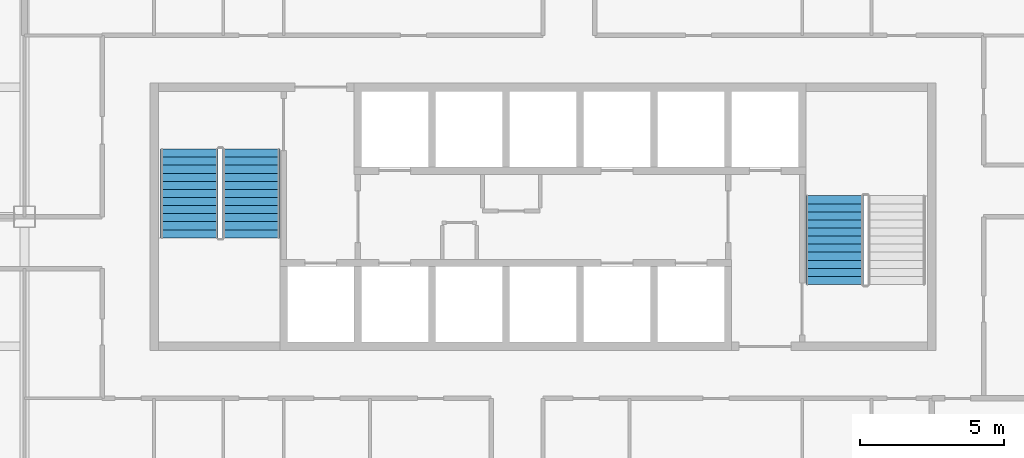
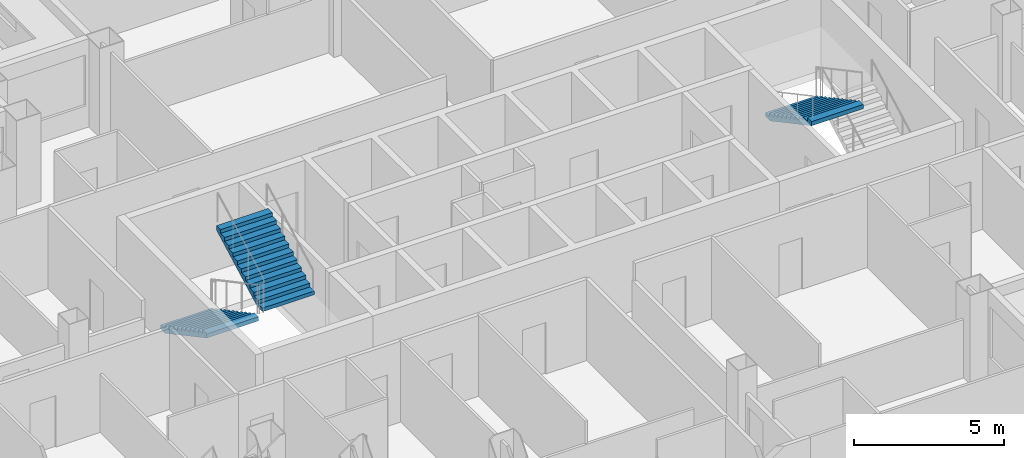
# One storey, part 10 of 14: 3 stair flights, 2 elements without a shape of their own.
"""IFC4 building model written with IfcOpenShell, lengths in metres."""

from ifc_helpers import new_model, si_unit, direction, frame, origin, place, context, subcontext, project, spatial, polygons, material, type_object, element, aggregate, save


model = new_model("IFC4")

# Units and contexts
model_context = context("Model", 3, precision=1e-05, world=origin(), true_north=direction((0.0, 1.0)))
body_context = subcontext(model_context, "Body", "Model", "MODEL_VIEW")
ifc_project = project(units=[si_unit("LENGTHUNIT", "METRE"), si_unit("AREAUNIT", "SQUARE_METRE"), si_unit("VOLUMEUNIT", "CUBIC_METRE"), si_unit("PLANEANGLEUNIT", "RADIAN"), si_unit("MASSUNIT", "GRAM", prefix="KILO")], contexts=[model_context])

# Site, building, storey
site_placement = place(None, origin())
site = spatial("IfcSite", under=ifc_project, at=site_placement, CompositionType="ELEMENT")
building_placement = place(site_placement, origin())
building = spatial("IfcBuilding", under=site, at=building_placement, Name="Caravel Reach Hotel and Residences", CompositionType="ELEMENT")
storey_placement = place(building_placement, frame((0.0, 0.0, 88.800048828125)))
storey = spatial("IfcBuildingStorey", under=building, at=storey_placement, Name="L21", CompositionType="ELEMENT", Elevation=88.800048828125)

# Stair, stair flights
ifc_material_1 = material(Name="Concrete C40", Category="concrete")
stair_type = type_object("IfcStairType", Name="Core stair", PredefinedType="HALF_TURN_STAIR", material=ifc_material_1)
stair_1_placement = place(storey_placement, origin())
stair_1 = element("IfcStair", 1, at=stair_1_placement, inside=storey, type_object=stair_type, Name="L21 Exit stair A", PredefinedType="HALF_TURN_STAIR")
ifc_material_2 = material(Name="Concrete C40", Category="concrete")
stair_flight_type = type_object("IfcStairFlightType", Name="Core stair flight", PredefinedType="STRAIGHT", material=ifc_material_2)
stair_flight_1_placement = place(storey_placement, frame((19.22509765625, 29.35009765625, 0.0), z_axis=(0.0, 0.0, 1.0), x_axis=(0.0, -1.0, 0.0)))
stair_flight_1 = element("IfcStairFlight", 2, at=stair_flight_1_placement, type_object=stair_flight_type, Name="ST-A flight 1", NumberOfRisers=12, NumberOfTreads=11, PredefinedType="STRAIGHT", RiserHeight=0.15, TreadLength=0.28, context=body_context, shape_type="Tessellation", body=[
    polygons([(0.3174408016601862, 1.0, 0.0), (0.3174408016601862, 0.6666666666666667, 0.0), (0.3174408016601862, 0.33333333333333337, 0.0), (0.3174408016601862, 0.0, 0.0), (0.3174408016601862, -0.33333333333333326, 0.0), (0.3174408016601862, -0.6666666666666667, 0.0), (0.3174408016601862, -1.0, 0.0), (3.081, 1.0, 1.479942427682043), (3.081, 0.6666666666666667, 1.479942427682043), (3.081, 0.33333333333333337, 1.479942427682043), (3.081, 0.0, 1.479942427682043), (3.081, -0.33333333333333326, 1.479942427682043), (3.081, -0.6666666666666667, 1.479942427682043), (3.081, -1.0, 1.479942427682043), (3.081, 1.0, 1.65), (3.081, 0.6666666666666667, 1.65), (3.081, 0.33333333333333337, 1.65), (3.081, 0.0, 1.65), (3.081, -0.33333333333333326, 1.65), (3.081, -0.6666666666666667, 1.65), (3.081, -1.0, 1.65), (2.8000000000000003, 1.0, 1.65), (2.8000000000000003, 0.6666666666666667, 1.65), (2.8000000000000003, 0.33333333333333337, 1.65), (2.8000000000000003, 0.0, 1.65), (2.8000000000000003, -0.33333333333333326, 1.65), (2.8000000000000003, -0.6666666666666667, 1.65), (2.8000000000000003, -1.0, 1.65), (2.8000000000000003, 1.0, 1.5), (2.8000000000000003, 0.6666666666666667, 1.5), (2.8000000000000003, 0.33333333333333337, 1.5), (2.8000000000000003, 0.0, 1.5), (2.8000000000000003, -0.33333333333333326, 1.5), (2.8000000000000003, -0.6666666666666667, 1.5), (2.8000000000000003, -1.0, 1.5), (2.5200000000000005, 1.0, 1.5), (2.5200000000000005, 0.6666666666666667, 1.5), (2.5200000000000005, 0.33333333333333337, 1.5), (2.5200000000000005, 0.0, 1.5), (2.5200000000000005, -0.33333333333333326, 1.5), (2.5200000000000005, -0.6666666666666667, 1.5), (2.5200000000000005, -1.0, 1.5), (2.5200000000000005, 1.0, 1.3499999999999999), (2.5200000000000005, 0.6666666666666667, 1.3499999999999999), (2.5200000000000005, 0.33333333333333337, 1.3499999999999999), (2.5200000000000005, 0.0, 1.3499999999999999), (2.5200000000000005, -0.33333333333333326, 1.3499999999999999), (2.5200000000000005, -0.6666666666666667, 1.3499999999999999), (2.5200000000000005, -1.0, 1.3499999999999999), (2.24, 1.0, 1.3499999999999999), (2.24, 0.6666666666666667, 1.3499999999999999), (2.24, 0.33333333333333337, 1.3499999999999999), (2.24, 0.0, 1.3499999999999999), (2.24, -0.33333333333333326, 1.3499999999999999), (2.24, -0.6666666666666667, 1.3499999999999999), (2.24, -1.0, 1.3499999999999999), (2.24, 1.0, 1.2), (2.24, 0.6666666666666667, 1.2), (2.24, 0.33333333333333337, 1.2), (2.24, 0.0, 1.2), (2.24, -0.33333333333333326, 1.2), (2.24, -0.6666666666666667, 1.2), (2.24, -1.0, 1.2), (1.9600000000000002, 1.0, 1.2), (1.9600000000000002, 0.6666666666666667, 1.2), (1.9600000000000002, 0.33333333333333337, 1.2), (1.9600000000000002, 0.0, 1.2), (1.9600000000000002, -0.33333333333333326, 1.2), (1.9600000000000002, -0.6666666666666667, 1.2), (1.9600000000000002, -1.0, 1.2), (1.9600000000000002, 1.0, 1.05), (1.9600000000000002, 0.6666666666666667, 1.05), (1.9600000000000002, 0.33333333333333337, 1.05), (1.9600000000000002, 0.0, 1.05), (1.9600000000000002, -0.33333333333333326, 1.05), (1.9600000000000002, -0.6666666666666667, 1.05), (1.9600000000000002, -1.0, 1.05), (1.6800000000000002, 1.0, 1.05), (1.6800000000000002, 0.6666666666666667, 1.05), (1.6800000000000002, 0.33333333333333337, 1.05), (1.6800000000000002, 0.0, 1.05), (1.6800000000000002, -0.33333333333333326, 1.05), (1.6800000000000002, -0.6666666666666667, 1.05), (1.6800000000000002, -1.0, 1.05), (1.6800000000000002, 1.0, 0.8999999999999999), (1.6800000000000002, 0.6666666666666667, 0.8999999999999999), (1.6800000000000002, 0.33333333333333337, 0.8999999999999999), (1.6800000000000002, 0.0, 0.8999999999999999), (1.6800000000000002, -0.33333333333333326, 0.8999999999999999), (1.6800000000000002, -0.6666666666666667, 0.8999999999999999), (1.6800000000000002, -1.0, 0.8999999999999999), (1.4000000000000001, 1.0, 0.8999999999999999), (1.4000000000000001, 0.6666666666666667, 0.8999999999999999), (1.4000000000000001, 0.33333333333333337, 0.8999999999999999), (1.4000000000000001, 0.0, 0.8999999999999999), (1.4000000000000001, -0.33333333333333326, 0.8999999999999999), (1.4000000000000001, -0.6666666666666667, 0.8999999999999999), (1.4000000000000001, -1.0, 0.8999999999999999), (1.4000000000000001, 1.0, 0.75), (1.4000000000000001, 0.6666666666666667, 0.75), (1.4000000000000001, 0.33333333333333337, 0.75), (1.4000000000000001, 0.0, 0.75), (1.4000000000000001, -0.33333333333333326, 0.75), (1.4000000000000001, -0.6666666666666667, 0.75), (1.4000000000000001, -1.0, 0.75), (1.12, 1.0, 0.75), (1.12, 0.6666666666666667, 0.75), (1.12, 0.33333333333333337, 0.75), (1.12, 0.0, 0.75), (1.12, -0.33333333333333326, 0.75), (1.12, -0.6666666666666667, 0.75), (1.12, -1.0, 0.75), (1.12, 1.0, 0.6), (1.12, 0.6666666666666667, 0.6), (1.12, 0.33333333333333337, 0.6), (1.12, 0.0, 0.6), (1.12, -0.33333333333333326, 0.6), (1.12, -0.6666666666666667, 0.6), (1.12, -1.0, 0.6), (0.8400000000000001, 1.0, 0.6), (0.8400000000000001, 0.6666666666666667, 0.6), (0.8400000000000001, 0.33333333333333337, 0.6), (0.8400000000000001, 0.0, 0.6), (0.8400000000000001, -0.33333333333333326, 0.6), (0.8400000000000001, -0.6666666666666667, 0.6), (0.8400000000000001, -1.0, 0.6), (0.8400000000000001, 1.0, 0.44999999999999996), (0.8400000000000001, 0.6666666666666667, 0.44999999999999996), (0.8400000000000001, 0.33333333333333337, 0.44999999999999996), (0.8400000000000001, 0.0, 0.44999999999999996), (0.8400000000000001, -0.33333333333333326, 0.44999999999999996), (0.8400000000000001, -0.6666666666666667, 0.44999999999999996), (0.8400000000000001, -1.0, 0.44999999999999996), (0.56, 1.0, 0.44999999999999996), (0.56, 0.6666666666666667, 0.44999999999999996), (0.56, 0.33333333333333337, 0.44999999999999996), (0.56, 0.0, 0.44999999999999996), (0.56, -0.33333333333333326, 0.44999999999999996), (0.56, -0.6666666666666667, 0.44999999999999996), (0.56, -1.0, 0.44999999999999996), (0.56, 1.0, 0.3), (0.56, 0.6666666666666667, 0.3), (0.56, 0.33333333333333337, 0.3), (0.56, 0.0, 0.3), (0.56, -0.33333333333333326, 0.3), (0.56, -0.6666666666666667, 0.3), (0.56, -1.0, 0.3), (0.28, 1.0, 0.3), (0.28, 0.6666666666666667, 0.3), (0.28, 0.33333333333333337, 0.3), (0.28, 0.0, 0.3), (0.28, -0.33333333333333326, 0.3), (0.28, -0.6666666666666667, 0.3), (0.28, -1.0, 0.3), (0.28, 1.0, 0.15), (0.28, 0.6666666666666667, 0.15), (0.28, 0.33333333333333337, 0.15), (0.28, 0.0, 0.15), (0.28, -0.33333333333333326, 0.15), (0.28, -0.6666666666666667, 0.15), (0.28, -1.0, 0.15), (-0.001, 1.0, 0.15), (-0.001, 0.6666666666666667, 0.15), (-0.001, 0.33333333333333337, 0.15), (-0.001, 0.0, 0.15), (-0.001, -0.33333333333333326, 0.15), (-0.001, -0.6666666666666667, 0.15), (-0.001, -1.0, 0.15), (-0.001, 1.0, 0.0), (-0.001, 0.6666666666666667, 0.0), (-0.001, 0.33333333333333337, 0.0), (-0.001, 0.0, 0.0), (-0.001, -0.33333333333333326, 0.0), (-0.001, -0.6666666666666667, 0.0), (-0.001, -1.0, 0.0)], [[[169, 162, 155, 148, 141, 134, 127, 120, 113, 106, 99, 92, 85, 78, 71, 64, 57, 50, 43, 36, 29, 22, 15, 8, 1]], [[7, 14, 21, 28, 35, 42, 49, 56, 63, 70, 77, 84, 91, 98, 105, 112, 119, 126, 133, 140, 147, 154, 161, 168, 175]], [[1, 8, 9, 2]], [[2, 9, 10, 3]], [[3, 10, 11, 4]], [[4, 11, 12, 5]], [[5, 12, 13, 6]], [[6, 13, 14, 7]], [[8, 15, 16, 9]], [[9, 16, 17, 10]], [[10, 17, 18, 11]], [[11, 18, 19, 12]], [[12, 19, 20, 13]], [[13, 20, 21, 14]], [[15, 22, 23, 16]], [[16, 23, 24, 17]], [[17, 24, 25, 18]], [[18, 25, 26, 19]], [[19, 26, 27, 20]], [[20, 27, 28, 21]], [[22, 29, 30, 23]], [[23, 30, 31, 24]], [[24, 31, 32, 25]], [[25, 32, 33, 26]], [[26, 33, 34, 27]], [[27, 34, 35, 28]], [[29, 36, 37, 30]], [[30, 37, 38, 31]], [[31, 38, 39, 32]], [[32, 39, 40, 33]], [[33, 40, 41, 34]], [[34, 41, 42, 35]], [[36, 43, 44, 37]], [[37, 44, 45, 38]], [[38, 45, 46, 39]], [[39, 46, 47, 40]], [[40, 47, 48, 41]], [[41, 48, 49, 42]], [[43, 50, 51, 44]], [[44, 51, 52, 45]], [[45, 52, 53, 46]], [[46, 53, 54, 47]], [[47, 54, 55, 48]], [[48, 55, 56, 49]], [[50, 57, 58, 51]], [[51, 58, 59, 52]], [[52, 59, 60, 53]], [[53, 60, 61, 54]], [[54, 61, 62, 55]], [[55, 62, 63, 56]], [[57, 64, 65, 58]], [[58, 65, 66, 59]], [[59, 66, 67, 60]], [[60, 67, 68, 61]], [[61, 68, 69, 62]], [[62, 69, 70, 63]], [[64, 71, 72, 65]], [[65, 72, 73, 66]], [[66, 73, 74, 67]], [[67, 74, 75, 68]], [[68, 75, 76, 69]], [[69, 76, 77, 70]], [[71, 78, 79, 72]], [[72, 79, 80, 73]], [[73, 80, 81, 74]], [[74, 81, 82, 75]], [[75, 82, 83, 76]], [[76, 83, 84, 77]], [[78, 85, 86, 79]], [[79, 86, 87, 80]], [[80, 87, 88, 81]], [[81, 88, 89, 82]], [[82, 89, 90, 83]], [[83, 90, 91, 84]], [[85, 92, 93, 86]], [[86, 93, 94, 87]], [[87, 94, 95, 88]], [[88, 95, 96, 89]], [[89, 96, 97, 90]], [[90, 97, 98, 91]], [[92, 99, 100, 93]], [[93, 100, 101, 94]], [[94, 101, 102, 95]], [[95, 102, 103, 96]], [[96, 103, 104, 97]], [[97, 104, 105, 98]], [[99, 106, 107, 100]], [[100, 107, 108, 101]], [[101, 108, 109, 102]], [[102, 109, 110, 103]], [[103, 110, 111, 104]], [[104, 111, 112, 105]], [[106, 113, 114, 107]], [[107, 114, 115, 108]], [[108, 115, 116, 109]], [[109, 116, 117, 110]], [[110, 117, 118, 111]], [[111, 118, 119, 112]], [[113, 120, 121, 114]], [[114, 121, 122, 115]], [[115, 122, 123, 116]], [[116, 123, 124, 117]], [[117, 124, 125, 118]], [[118, 125, 126, 119]], [[120, 127, 128, 121]], [[121, 128, 129, 122]], [[122, 129, 130, 123]], [[123, 130, 131, 124]], [[124, 131, 132, 125]], [[125, 132, 133, 126]], [[127, 134, 135, 128]], [[128, 135, 136, 129]], [[129, 136, 137, 130]], [[130, 137, 138, 131]], [[131, 138, 139, 132]], [[132, 139, 140, 133]], [[134, 141, 142, 135]], [[135, 142, 143, 136]], [[136, 143, 144, 137]], [[137, 144, 145, 138]], [[138, 145, 146, 139]], [[139, 146, 147, 140]], [[141, 148, 149, 142]], [[142, 149, 150, 143]], [[143, 150, 151, 144]], [[144, 151, 152, 145]], [[145, 152, 153, 146]], [[146, 153, 154, 147]], [[148, 155, 156, 149]], [[149, 156, 157, 150]], [[150, 157, 158, 151]], [[151, 158, 159, 152]], [[152, 159, 160, 153]], [[153, 160, 161, 154]], [[155, 162, 163, 156]], [[156, 163, 164, 157]], [[157, 164, 165, 158]], [[158, 165, 166, 159]], [[159, 166, 167, 160]], [[160, 167, 168, 161]], [[162, 169, 170, 163]], [[163, 170, 171, 164]], [[164, 171, 172, 165]], [[165, 172, 173, 166]], [[166, 173, 174, 167]], [[167, 174, 175, 168]], [[169, 1, 2, 170]], [[170, 2, 3, 171]], [[171, 3, 4, 172]], [[172, 4, 5, 173]], [[173, 5, 6, 174]], [[174, 6, 7, 175]]], closed=True),
])
stair_flight_2_placement = place(storey_placement, frame((21.375, 26.27001953125, 1.800048828125), z_axis=(0.0, 0.0, 1.0), x_axis=(0.0, 1.0, 0.0)))
stair_flight_2 = element("IfcStairFlight", 3, at=stair_flight_2_placement, type_object=stair_flight_type, Name="ST-A flight 2", NumberOfRisers=12, NumberOfTreads=11, PredefinedType="STRAIGHT", RiserHeight=0.15, TreadLength=0.28, context=body_context, shape_type="Tessellation", body=[
    polygons([(0.3174408016601862, 1.0, 0.0), (0.3174408016601862, 0.6666666666666667, 0.0), (0.3174408016601862, 0.33333333333333337, 0.0), (0.3174408016601862, 0.0, 0.0), (0.3174408016601862, -0.33333333333333326, 0.0), (0.3174408016601862, -0.6666666666666667, 0.0), (0.3174408016601862, -1.0, 0.0), (3.081, 1.0, 1.479942427682043), (3.081, 0.6666666666666667, 1.479942427682043), (3.081, 0.33333333333333337, 1.479942427682043), (3.081, 0.0, 1.479942427682043), (3.081, -0.33333333333333326, 1.479942427682043), (3.081, -0.6666666666666667, 1.479942427682043), (3.081, -1.0, 1.479942427682043), (3.081, 1.0, 1.65), (3.081, 0.6666666666666667, 1.65), (3.081, 0.33333333333333337, 1.65), (3.081, 0.0, 1.65), (3.081, -0.33333333333333326, 1.65), (3.081, -0.6666666666666667, 1.65), (3.081, -1.0, 1.65), (2.8000000000000003, 1.0, 1.65), (2.8000000000000003, 0.6666666666666667, 1.65), (2.8000000000000003, 0.33333333333333337, 1.65), (2.8000000000000003, 0.0, 1.65), (2.8000000000000003, -0.33333333333333326, 1.65), (2.8000000000000003, -0.6666666666666667, 1.65), (2.8000000000000003, -1.0, 1.65), (2.8000000000000003, 1.0, 1.5), (2.8000000000000003, 0.6666666666666667, 1.5), (2.8000000000000003, 0.33333333333333337, 1.5), (2.8000000000000003, 0.0, 1.5), (2.8000000000000003, -0.33333333333333326, 1.5), (2.8000000000000003, -0.6666666666666667, 1.5), (2.8000000000000003, -1.0, 1.5), (2.5200000000000005, 1.0, 1.5), (2.5200000000000005, 0.6666666666666667, 1.5), (2.5200000000000005, 0.33333333333333337, 1.5), (2.5200000000000005, 0.0, 1.5), (2.5200000000000005, -0.33333333333333326, 1.5), (2.5200000000000005, -0.6666666666666667, 1.5), (2.5200000000000005, -1.0, 1.5), (2.5200000000000005, 1.0, 1.3499999999999999), (2.5200000000000005, 0.6666666666666667, 1.3499999999999999), (2.5200000000000005, 0.33333333333333337, 1.3499999999999999), (2.5200000000000005, 0.0, 1.3499999999999999), (2.5200000000000005, -0.33333333333333326, 1.3499999999999999), (2.5200000000000005, -0.6666666666666667, 1.3499999999999999), (2.5200000000000005, -1.0, 1.3499999999999999), (2.24, 1.0, 1.3499999999999999), (2.24, 0.6666666666666667, 1.3499999999999999), (2.24, 0.33333333333333337, 1.3499999999999999), (2.24, 0.0, 1.3499999999999999), (2.24, -0.33333333333333326, 1.3499999999999999), (2.24, -0.6666666666666667, 1.3499999999999999), (2.24, -1.0, 1.3499999999999999), (2.24, 1.0, 1.2), (2.24, 0.6666666666666667, 1.2), (2.24, 0.33333333333333337, 1.2), (2.24, 0.0, 1.2), (2.24, -0.33333333333333326, 1.2), (2.24, -0.6666666666666667, 1.2), (2.24, -1.0, 1.2), (1.9600000000000002, 1.0, 1.2), (1.9600000000000002, 0.6666666666666667, 1.2), (1.9600000000000002, 0.33333333333333337, 1.2), (1.9600000000000002, 0.0, 1.2), (1.9600000000000002, -0.33333333333333326, 1.2), (1.9600000000000002, -0.6666666666666667, 1.2), (1.9600000000000002, -1.0, 1.2), (1.9600000000000002, 1.0, 1.05), (1.9600000000000002, 0.6666666666666667, 1.05), (1.9600000000000002, 0.33333333333333337, 1.05), (1.9600000000000002, 0.0, 1.05), (1.9600000000000002, -0.33333333333333326, 1.05), (1.9600000000000002, -0.6666666666666667, 1.05), (1.9600000000000002, -1.0, 1.05), (1.6800000000000002, 1.0, 1.05), (1.6800000000000002, 0.6666666666666667, 1.05), (1.6800000000000002, 0.33333333333333337, 1.05), (1.6800000000000002, 0.0, 1.05), (1.6800000000000002, -0.33333333333333326, 1.05), (1.6800000000000002, -0.6666666666666667, 1.05), (1.6800000000000002, -1.0, 1.05), (1.6800000000000002, 1.0, 0.8999999999999999), (1.6800000000000002, 0.6666666666666667, 0.8999999999999999), (1.6800000000000002, 0.33333333333333337, 0.8999999999999999), (1.6800000000000002, 0.0, 0.8999999999999999), (1.6800000000000002, -0.33333333333333326, 0.8999999999999999), (1.6800000000000002, -0.6666666666666667, 0.8999999999999999), (1.6800000000000002, -1.0, 0.8999999999999999), (1.4000000000000001, 1.0, 0.8999999999999999), (1.4000000000000001, 0.6666666666666667, 0.8999999999999999), (1.4000000000000001, 0.33333333333333337, 0.8999999999999999), (1.4000000000000001, 0.0, 0.8999999999999999), (1.4000000000000001, -0.33333333333333326, 0.8999999999999999), (1.4000000000000001, -0.6666666666666667, 0.8999999999999999), (1.4000000000000001, -1.0, 0.8999999999999999), (1.4000000000000001, 1.0, 0.75), (1.4000000000000001, 0.6666666666666667, 0.75), (1.4000000000000001, 0.33333333333333337, 0.75), (1.4000000000000001, 0.0, 0.75), (1.4000000000000001, -0.33333333333333326, 0.75), (1.4000000000000001, -0.6666666666666667, 0.75), (1.4000000000000001, -1.0, 0.75), (1.12, 1.0, 0.75), (1.12, 0.6666666666666667, 0.75), (1.12, 0.33333333333333337, 0.75), (1.12, 0.0, 0.75), (1.12, -0.33333333333333326, 0.75), (1.12, -0.6666666666666667, 0.75), (1.12, -1.0, 0.75), (1.12, 1.0, 0.6), (1.12, 0.6666666666666667, 0.6), (1.12, 0.33333333333333337, 0.6), (1.12, 0.0, 0.6), (1.12, -0.33333333333333326, 0.6), (1.12, -0.6666666666666667, 0.6), (1.12, -1.0, 0.6), (0.8400000000000001, 1.0, 0.6), (0.8400000000000001, 0.6666666666666667, 0.6), (0.8400000000000001, 0.33333333333333337, 0.6), (0.8400000000000001, 0.0, 0.6), (0.8400000000000001, -0.33333333333333326, 0.6), (0.8400000000000001, -0.6666666666666667, 0.6), (0.8400000000000001, -1.0, 0.6), (0.8400000000000001, 1.0, 0.44999999999999996), (0.8400000000000001, 0.6666666666666667, 0.44999999999999996), (0.8400000000000001, 0.33333333333333337, 0.44999999999999996), (0.8400000000000001, 0.0, 0.44999999999999996), (0.8400000000000001, -0.33333333333333326, 0.44999999999999996), (0.8400000000000001, -0.6666666666666667, 0.44999999999999996), (0.8400000000000001, -1.0, 0.44999999999999996), (0.56, 1.0, 0.44999999999999996), (0.56, 0.6666666666666667, 0.44999999999999996), (0.56, 0.33333333333333337, 0.44999999999999996), (0.56, 0.0, 0.44999999999999996), (0.56, -0.33333333333333326, 0.44999999999999996), (0.56, -0.6666666666666667, 0.44999999999999996), (0.56, -1.0, 0.44999999999999996), (0.56, 1.0, 0.3), (0.56, 0.6666666666666667, 0.3), (0.56, 0.33333333333333337, 0.3), (0.56, 0.0, 0.3), (0.56, -0.33333333333333326, 0.3), (0.56, -0.6666666666666667, 0.3), (0.56, -1.0, 0.3), (0.28, 1.0, 0.3), (0.28, 0.6666666666666667, 0.3), (0.28, 0.33333333333333337, 0.3), (0.28, 0.0, 0.3), (0.28, -0.33333333333333326, 0.3), (0.28, -0.6666666666666667, 0.3), (0.28, -1.0, 0.3), (0.28, 1.0, 0.15), (0.28, 0.6666666666666667, 0.15), (0.28, 0.33333333333333337, 0.15), (0.28, 0.0, 0.15), (0.28, -0.33333333333333326, 0.15), (0.28, -0.6666666666666667, 0.15), (0.28, -1.0, 0.15), (-0.001, 1.0, 0.15), (-0.001, 0.6666666666666667, 0.15), (-0.001, 0.33333333333333337, 0.15), (-0.001, 0.0, 0.15), (-0.001, -0.33333333333333326, 0.15), (-0.001, -0.6666666666666667, 0.15), (-0.001, -1.0, 0.15), (-0.001, 1.0, 0.0), (-0.001, 0.6666666666666667, 0.0), (-0.001, 0.33333333333333337, 0.0), (-0.001, 0.0, 0.0), (-0.001, -0.33333333333333326, 0.0), (-0.001, -0.6666666666666667, 0.0), (-0.001, -1.0, 0.0)], [[[169, 162, 155, 148, 141, 134, 127, 120, 113, 106, 99, 92, 85, 78, 71, 64, 57, 50, 43, 36, 29, 22, 15, 8, 1]], [[7, 14, 21, 28, 35, 42, 49, 56, 63, 70, 77, 84, 91, 98, 105, 112, 119, 126, 133, 140, 147, 154, 161, 168, 175]], [[1, 8, 9, 2]], [[2, 9, 10, 3]], [[3, 10, 11, 4]], [[4, 11, 12, 5]], [[5, 12, 13, 6]], [[6, 13, 14, 7]], [[8, 15, 16, 9]], [[9, 16, 17, 10]], [[10, 17, 18, 11]], [[11, 18, 19, 12]], [[12, 19, 20, 13]], [[13, 20, 21, 14]], [[15, 22, 23, 16]], [[16, 23, 24, 17]], [[17, 24, 25, 18]], [[18, 25, 26, 19]], [[19, 26, 27, 20]], [[20, 27, 28, 21]], [[22, 29, 30, 23]], [[23, 30, 31, 24]], [[24, 31, 32, 25]], [[25, 32, 33, 26]], [[26, 33, 34, 27]], [[27, 34, 35, 28]], [[29, 36, 37, 30]], [[30, 37, 38, 31]], [[31, 38, 39, 32]], [[32, 39, 40, 33]], [[33, 40, 41, 34]], [[34, 41, 42, 35]], [[36, 43, 44, 37]], [[37, 44, 45, 38]], [[38, 45, 46, 39]], [[39, 46, 47, 40]], [[40, 47, 48, 41]], [[41, 48, 49, 42]], [[43, 50, 51, 44]], [[44, 51, 52, 45]], [[45, 52, 53, 46]], [[46, 53, 54, 47]], [[47, 54, 55, 48]], [[48, 55, 56, 49]], [[50, 57, 58, 51]], [[51, 58, 59, 52]], [[52, 59, 60, 53]], [[53, 60, 61, 54]], [[54, 61, 62, 55]], [[55, 62, 63, 56]], [[57, 64, 65, 58]], [[58, 65, 66, 59]], [[59, 66, 67, 60]], [[60, 67, 68, 61]], [[61, 68, 69, 62]], [[62, 69, 70, 63]], [[64, 71, 72, 65]], [[65, 72, 73, 66]], [[66, 73, 74, 67]], [[67, 74, 75, 68]], [[68, 75, 76, 69]], [[69, 76, 77, 70]], [[71, 78, 79, 72]], [[72, 79, 80, 73]], [[73, 80, 81, 74]], [[74, 81, 82, 75]], [[75, 82, 83, 76]], [[76, 83, 84, 77]], [[78, 85, 86, 79]], [[79, 86, 87, 80]], [[80, 87, 88, 81]], [[81, 88, 89, 82]], [[82, 89, 90, 83]], [[83, 90, 91, 84]], [[85, 92, 93, 86]], [[86, 93, 94, 87]], [[87, 94, 95, 88]], [[88, 95, 96, 89]], [[89, 96, 97, 90]], [[90, 97, 98, 91]], [[92, 99, 100, 93]], [[93, 100, 101, 94]], [[94, 101, 102, 95]], [[95, 102, 103, 96]], [[96, 103, 104, 97]], [[97, 104, 105, 98]], [[99, 106, 107, 100]], [[100, 107, 108, 101]], [[101, 108, 109, 102]], [[102, 109, 110, 103]], [[103, 110, 111, 104]], [[104, 111, 112, 105]], [[106, 113, 114, 107]], [[107, 114, 115, 108]], [[108, 115, 116, 109]], [[109, 116, 117, 110]], [[110, 117, 118, 111]], [[111, 118, 119, 112]], [[113, 120, 121, 114]], [[114, 121, 122, 115]], [[115, 122, 123, 116]], [[116, 123, 124, 117]], [[117, 124, 125, 118]], [[118, 125, 126, 119]], [[120, 127, 128, 121]], [[121, 128, 129, 122]], [[122, 129, 130, 123]], [[123, 130, 131, 124]], [[124, 131, 132, 125]], [[125, 132, 133, 126]], [[127, 134, 135, 128]], [[128, 135, 136, 129]], [[129, 136, 137, 130]], [[130, 137, 138, 131]], [[131, 138, 139, 132]], [[132, 139, 140, 133]], [[134, 141, 142, 135]], [[135, 142, 143, 136]], [[136, 143, 144, 137]], [[137, 144, 145, 138]], [[138, 145, 146, 139]], [[139, 146, 147, 140]], [[141, 148, 149, 142]], [[142, 149, 150, 143]], [[143, 150, 151, 144]], [[144, 151, 152, 145]], [[145, 152, 153, 146]], [[146, 153, 154, 147]], [[148, 155, 156, 149]], [[149, 156, 157, 150]], [[150, 157, 158, 151]], [[151, 158, 159, 152]], [[152, 159, 160, 153]], [[153, 160, 161, 154]], [[155, 162, 163, 156]], [[156, 163, 164, 157]], [[157, 164, 165, 158]], [[158, 165, 166, 159]], [[159, 166, 167, 160]], [[160, 167, 168, 161]], [[162, 169, 170, 163]], [[163, 170, 171, 164]], [[164, 171, 172, 165]], [[165, 172, 173, 166]], [[166, 173, 174, 167]], [[167, 174, 175, 168]], [[169, 1, 2, 170]], [[170, 2, 3, 171]], [[171, 3, 4, 172]], [[172, 4, 5, 173]], [[173, 5, 6, 174]], [[174, 6, 7, 175]]], closed=True),
])
aggregate(stair_1, [stair_flight_1, stair_flight_2])

# Stair, stair flight
stair_2_placement = place(storey_placement, origin())
stair_2 = element("IfcStair", 4, at=stair_2_placement, inside=storey, type_object=stair_type, Name="L21 Exit stair B", PredefinedType="HALF_TURN_STAIR")
stair_flight_3_placement = place(storey_placement, frame((41.625, 27.72998046875, 1.800048828125), z_axis=(0.0, 0.0, 1.0), x_axis=(0.0, -1.0, 0.0)))
stair_flight_3 = element("IfcStairFlight", 5, at=stair_flight_3_placement, type_object=stair_flight_type, Name="ST-B flight 2", NumberOfRisers=12, NumberOfTreads=11, PredefinedType="STRAIGHT", RiserHeight=0.15, TreadLength=0.28, context=body_context, shape_type="Tessellation", body=[
    polygons([(0.3174408016601862, 1.0, 0.0), (0.3174408016601862, 0.6666666666666667, 0.0), (0.3174408016601862, 0.33333333333333337, 0.0), (0.3174408016601862, 0.0, 0.0), (0.3174408016601862, -0.33333333333333326, 0.0), (0.3174408016601862, -0.6666666666666667, 0.0), (0.3174408016601862, -1.0, 0.0), (3.081, 1.0, 1.479942427682043), (3.081, 0.6666666666666667, 1.479942427682043), (3.081, 0.33333333333333337, 1.479942427682043), (3.081, 0.0, 1.479942427682043), (3.081, -0.33333333333333326, 1.479942427682043), (3.081, -0.6666666666666667, 1.479942427682043), (3.081, -1.0, 1.479942427682043), (3.081, 1.0, 1.65), (3.081, 0.6666666666666667, 1.65), (3.081, 0.33333333333333337, 1.65), (3.081, 0.0, 1.65), (3.081, -0.33333333333333326, 1.65), (3.081, -0.6666666666666667, 1.65), (3.081, -1.0, 1.65), (2.8000000000000003, 1.0, 1.65), (2.8000000000000003, 0.6666666666666667, 1.65), (2.8000000000000003, 0.33333333333333337, 1.65), (2.8000000000000003, 0.0, 1.65), (2.8000000000000003, -0.33333333333333326, 1.65), (2.8000000000000003, -0.6666666666666667, 1.65), (2.8000000000000003, -1.0, 1.65), (2.8000000000000003, 1.0, 1.5), (2.8000000000000003, 0.6666666666666667, 1.5), (2.8000000000000003, 0.33333333333333337, 1.5), (2.8000000000000003, 0.0, 1.5), (2.8000000000000003, -0.33333333333333326, 1.5), (2.8000000000000003, -0.6666666666666667, 1.5), (2.8000000000000003, -1.0, 1.5), (2.5200000000000005, 1.0, 1.5), (2.5200000000000005, 0.6666666666666667, 1.5), (2.5200000000000005, 0.33333333333333337, 1.5), (2.5200000000000005, 0.0, 1.5), (2.5200000000000005, -0.33333333333333326, 1.5), (2.5200000000000005, -0.6666666666666667, 1.5), (2.5200000000000005, -1.0, 1.5), (2.5200000000000005, 1.0, 1.3499999999999999), (2.5200000000000005, 0.6666666666666667, 1.3499999999999999), (2.5200000000000005, 0.33333333333333337, 1.3499999999999999), (2.5200000000000005, 0.0, 1.3499999999999999), (2.5200000000000005, -0.33333333333333326, 1.3499999999999999), (2.5200000000000005, -0.6666666666666667, 1.3499999999999999), (2.5200000000000005, -1.0, 1.3499999999999999), (2.24, 1.0, 1.3499999999999999), (2.24, 0.6666666666666667, 1.3499999999999999), (2.24, 0.33333333333333337, 1.3499999999999999), (2.24, 0.0, 1.3499999999999999), (2.24, -0.33333333333333326, 1.3499999999999999), (2.24, -0.6666666666666667, 1.3499999999999999), (2.24, -1.0, 1.3499999999999999), (2.24, 1.0, 1.2), (2.24, 0.6666666666666667, 1.2), (2.24, 0.33333333333333337, 1.2), (2.24, 0.0, 1.2), (2.24, -0.33333333333333326, 1.2), (2.24, -0.6666666666666667, 1.2), (2.24, -1.0, 1.2), (1.9600000000000002, 1.0, 1.2), (1.9600000000000002, 0.6666666666666667, 1.2), (1.9600000000000002, 0.33333333333333337, 1.2), (1.9600000000000002, 0.0, 1.2), (1.9600000000000002, -0.33333333333333326, 1.2), (1.9600000000000002, -0.6666666666666667, 1.2), (1.9600000000000002, -1.0, 1.2), (1.9600000000000002, 1.0, 1.05), (1.9600000000000002, 0.6666666666666667, 1.05), (1.9600000000000002, 0.33333333333333337, 1.05), (1.9600000000000002, 0.0, 1.05), (1.9600000000000002, -0.33333333333333326, 1.05), (1.9600000000000002, -0.6666666666666667, 1.05), (1.9600000000000002, -1.0, 1.05), (1.6800000000000002, 1.0, 1.05), (1.6800000000000002, 0.6666666666666667, 1.05), (1.6800000000000002, 0.33333333333333337, 1.05), (1.6800000000000002, 0.0, 1.05), (1.6800000000000002, -0.33333333333333326, 1.05), (1.6800000000000002, -0.6666666666666667, 1.05), (1.6800000000000002, -1.0, 1.05), (1.6800000000000002, 1.0, 0.8999999999999999), (1.6800000000000002, 0.6666666666666667, 0.8999999999999999), (1.6800000000000002, 0.33333333333333337, 0.8999999999999999), (1.6800000000000002, 0.0, 0.8999999999999999), (1.6800000000000002, -0.33333333333333326, 0.8999999999999999), (1.6800000000000002, -0.6666666666666667, 0.8999999999999999), (1.6800000000000002, -1.0, 0.8999999999999999), (1.4000000000000001, 1.0, 0.8999999999999999), (1.4000000000000001, 0.6666666666666667, 0.8999999999999999), (1.4000000000000001, 0.33333333333333337, 0.8999999999999999), (1.4000000000000001, 0.0, 0.8999999999999999), (1.4000000000000001, -0.33333333333333326, 0.8999999999999999), (1.4000000000000001, -0.6666666666666667, 0.8999999999999999), (1.4000000000000001, -1.0, 0.8999999999999999), (1.4000000000000001, 1.0, 0.75), (1.4000000000000001, 0.6666666666666667, 0.75), (1.4000000000000001, 0.33333333333333337, 0.75), (1.4000000000000001, 0.0, 0.75), (1.4000000000000001, -0.33333333333333326, 0.75), (1.4000000000000001, -0.6666666666666667, 0.75), (1.4000000000000001, -1.0, 0.75), (1.12, 1.0, 0.75), (1.12, 0.6666666666666667, 0.75), (1.12, 0.33333333333333337, 0.75), (1.12, 0.0, 0.75), (1.12, -0.33333333333333326, 0.75), (1.12, -0.6666666666666667, 0.75), (1.12, -1.0, 0.75), (1.12, 1.0, 0.6), (1.12, 0.6666666666666667, 0.6), (1.12, 0.33333333333333337, 0.6), (1.12, 0.0, 0.6), (1.12, -0.33333333333333326, 0.6), (1.12, -0.6666666666666667, 0.6), (1.12, -1.0, 0.6), (0.8400000000000001, 1.0, 0.6), (0.8400000000000001, 0.6666666666666667, 0.6), (0.8400000000000001, 0.33333333333333337, 0.6), (0.8400000000000001, 0.0, 0.6), (0.8400000000000001, -0.33333333333333326, 0.6), (0.8400000000000001, -0.6666666666666667, 0.6), (0.8400000000000001, -1.0, 0.6), (0.8400000000000001, 1.0, 0.44999999999999996), (0.8400000000000001, 0.6666666666666667, 0.44999999999999996), (0.8400000000000001, 0.33333333333333337, 0.44999999999999996), (0.8400000000000001, 0.0, 0.44999999999999996), (0.8400000000000001, -0.33333333333333326, 0.44999999999999996), (0.8400000000000001, -0.6666666666666667, 0.44999999999999996), (0.8400000000000001, -1.0, 0.44999999999999996), (0.56, 1.0, 0.44999999999999996), (0.56, 0.6666666666666667, 0.44999999999999996), (0.56, 0.33333333333333337, 0.44999999999999996), (0.56, 0.0, 0.44999999999999996), (0.56, -0.33333333333333326, 0.44999999999999996), (0.56, -0.6666666666666667, 0.44999999999999996), (0.56, -1.0, 0.44999999999999996), (0.56, 1.0, 0.3), (0.56, 0.6666666666666667, 0.3), (0.56, 0.33333333333333337, 0.3), (0.56, 0.0, 0.3), (0.56, -0.33333333333333326, 0.3), (0.56, -0.6666666666666667, 0.3), (0.56, -1.0, 0.3), (0.28, 1.0, 0.3), (0.28, 0.6666666666666667, 0.3), (0.28, 0.33333333333333337, 0.3), (0.28, 0.0, 0.3), (0.28, -0.33333333333333326, 0.3), (0.28, -0.6666666666666667, 0.3), (0.28, -1.0, 0.3), (0.28, 1.0, 0.15), (0.28, 0.6666666666666667, 0.15), (0.28, 0.33333333333333337, 0.15), (0.28, 0.0, 0.15), (0.28, -0.33333333333333326, 0.15), (0.28, -0.6666666666666667, 0.15), (0.28, -1.0, 0.15), (-0.001, 1.0, 0.15), (-0.001, 0.6666666666666667, 0.15), (-0.001, 0.33333333333333337, 0.15), (-0.001, 0.0, 0.15), (-0.001, -0.33333333333333326, 0.15), (-0.001, -0.6666666666666667, 0.15), (-0.001, -1.0, 0.15), (-0.001, 1.0, 0.0), (-0.001, 0.6666666666666667, 0.0), (-0.001, 0.33333333333333337, 0.0), (-0.001, 0.0, 0.0), (-0.001, -0.33333333333333326, 0.0), (-0.001, -0.6666666666666667, 0.0), (-0.001, -1.0, 0.0)], [[[169, 162, 155, 148, 141, 134, 127, 120, 113, 106, 99, 92, 85, 78, 71, 64, 57, 50, 43, 36, 29, 22, 15, 8, 1]], [[7, 14, 21, 28, 35, 42, 49, 56, 63, 70, 77, 84, 91, 98, 105, 112, 119, 126, 133, 140, 147, 154, 161, 168, 175]], [[1, 8, 9, 2]], [[2, 9, 10, 3]], [[3, 10, 11, 4]], [[4, 11, 12, 5]], [[5, 12, 13, 6]], [[6, 13, 14, 7]], [[8, 15, 16, 9]], [[9, 16, 17, 10]], [[10, 17, 18, 11]], [[11, 18, 19, 12]], [[12, 19, 20, 13]], [[13, 20, 21, 14]], [[15, 22, 23, 16]], [[16, 23, 24, 17]], [[17, 24, 25, 18]], [[18, 25, 26, 19]], [[19, 26, 27, 20]], [[20, 27, 28, 21]], [[22, 29, 30, 23]], [[23, 30, 31, 24]], [[24, 31, 32, 25]], [[25, 32, 33, 26]], [[26, 33, 34, 27]], [[27, 34, 35, 28]], [[29, 36, 37, 30]], [[30, 37, 38, 31]], [[31, 38, 39, 32]], [[32, 39, 40, 33]], [[33, 40, 41, 34]], [[34, 41, 42, 35]], [[36, 43, 44, 37]], [[37, 44, 45, 38]], [[38, 45, 46, 39]], [[39, 46, 47, 40]], [[40, 47, 48, 41]], [[41, 48, 49, 42]], [[43, 50, 51, 44]], [[44, 51, 52, 45]], [[45, 52, 53, 46]], [[46, 53, 54, 47]], [[47, 54, 55, 48]], [[48, 55, 56, 49]], [[50, 57, 58, 51]], [[51, 58, 59, 52]], [[52, 59, 60, 53]], [[53, 60, 61, 54]], [[54, 61, 62, 55]], [[55, 62, 63, 56]], [[57, 64, 65, 58]], [[58, 65, 66, 59]], [[59, 66, 67, 60]], [[60, 67, 68, 61]], [[61, 68, 69, 62]], [[62, 69, 70, 63]], [[64, 71, 72, 65]], [[65, 72, 73, 66]], [[66, 73, 74, 67]], [[67, 74, 75, 68]], [[68, 75, 76, 69]], [[69, 76, 77, 70]], [[71, 78, 79, 72]], [[72, 79, 80, 73]], [[73, 80, 81, 74]], [[74, 81, 82, 75]], [[75, 82, 83, 76]], [[76, 83, 84, 77]], [[78, 85, 86, 79]], [[79, 86, 87, 80]], [[80, 87, 88, 81]], [[81, 88, 89, 82]], [[82, 89, 90, 83]], [[83, 90, 91, 84]], [[85, 92, 93, 86]], [[86, 93, 94, 87]], [[87, 94, 95, 88]], [[88, 95, 96, 89]], [[89, 96, 97, 90]], [[90, 97, 98, 91]], [[92, 99, 100, 93]], [[93, 100, 101, 94]], [[94, 101, 102, 95]], [[95, 102, 103, 96]], [[96, 103, 104, 97]], [[97, 104, 105, 98]], [[99, 106, 107, 100]], [[100, 107, 108, 101]], [[101, 108, 109, 102]], [[102, 109, 110, 103]], [[103, 110, 111, 104]], [[104, 111, 112, 105]], [[106, 113, 114, 107]], [[107, 114, 115, 108]], [[108, 115, 116, 109]], [[109, 116, 117, 110]], [[110, 117, 118, 111]], [[111, 118, 119, 112]], [[113, 120, 121, 114]], [[114, 121, 122, 115]], [[115, 122, 123, 116]], [[116, 123, 124, 117]], [[117, 124, 125, 118]], [[118, 125, 126, 119]], [[120, 127, 128, 121]], [[121, 128, 129, 122]], [[122, 129, 130, 123]], [[123, 130, 131, 124]], [[124, 131, 132, 125]], [[125, 132, 133, 126]], [[127, 134, 135, 128]], [[128, 135, 136, 129]], [[129, 136, 137, 130]], [[130, 137, 138, 131]], [[131, 138, 139, 132]], [[132, 139, 140, 133]], [[134, 141, 142, 135]], [[135, 142, 143, 136]], [[136, 143, 144, 137]], [[137, 144, 145, 138]], [[138, 145, 146, 139]], [[139, 146, 147, 140]], [[141, 148, 149, 142]], [[142, 149, 150, 143]], [[143, 150, 151, 144]], [[144, 151, 152, 145]], [[145, 152, 153, 146]], [[146, 153, 154, 147]], [[148, 155, 156, 149]], [[149, 156, 157, 150]], [[150, 157, 158, 151]], [[151, 158, 159, 152]], [[152, 159, 160, 153]], [[153, 160, 161, 154]], [[155, 162, 163, 156]], [[156, 163, 164, 157]], [[157, 164, 165, 158]], [[158, 165, 166, 159]], [[159, 166, 167, 160]], [[160, 167, 168, 161]], [[162, 169, 170, 163]], [[163, 170, 171, 164]], [[164, 171, 172, 165]], [[165, 172, 173, 166]], [[166, 173, 174, 167]], [[167, 174, 175, 168]], [[169, 1, 2, 170]], [[170, 2, 3, 171]], [[171, 3, 4, 172]], [[172, 4, 5, 173]], [[173, 5, 6, 174]], [[174, 6, 7, 175]]], closed=True),
])
aggregate(stair_2, [stair_flight_3])

save(model, "model.ifc")
